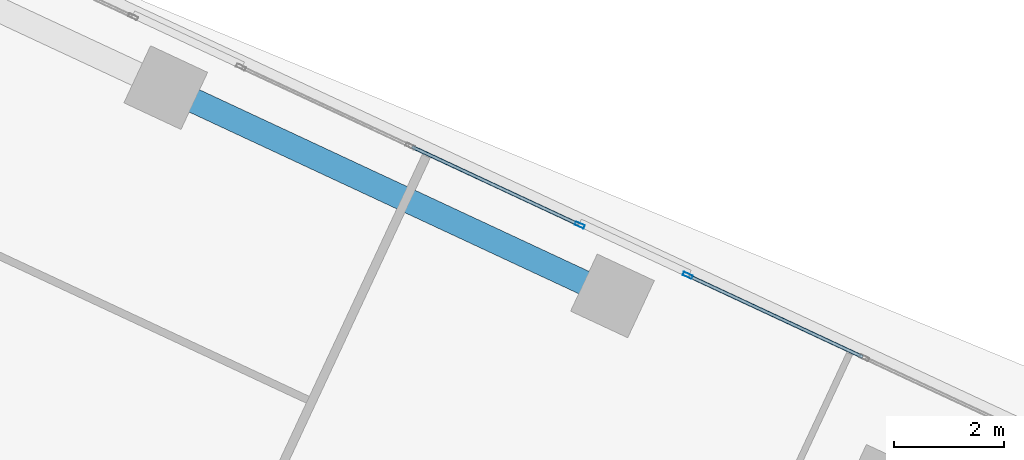
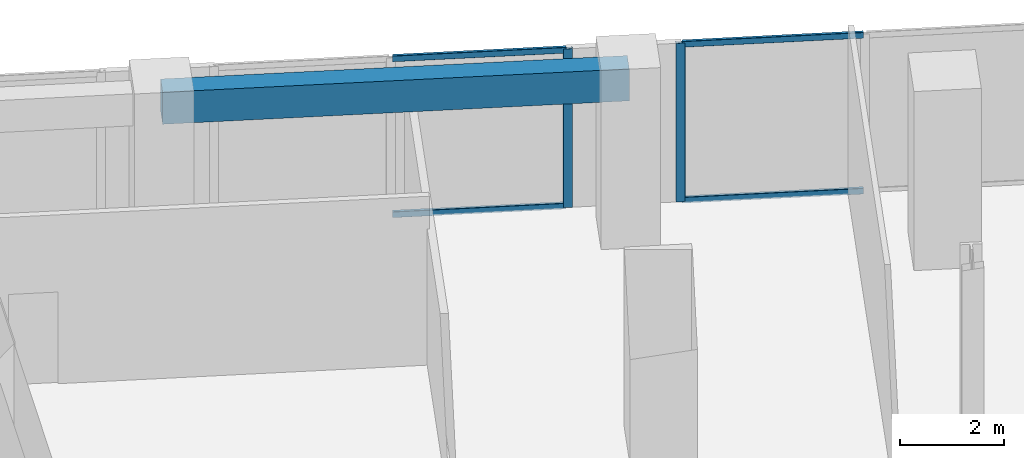
# One storey, part 9 of 23: 6 members, 1 beam, 2 elements without a shape of their own.
"""IFC4 building model written with IfcOpenShell, lengths in metres."""

from ifc_helpers import new_model, si_unit, direction, frame, origin, origin_2d, place, context, subcontext, project, spatial, rectangle, hollow_rectangle, extrude, source, transform, mapped, material, material_profile, profile_set, type_object, element, aggregate, save


model = new_model("IFC4")

# Units and contexts
model_context = context("Model", 3, precision=1e-05, world=origin(), true_north=direction((0.0, 1.0)))
body_context = subcontext(model_context, "Body", "Model", "MODEL_VIEW")
ifc_project = project(units=[si_unit("LENGTHUNIT", "METRE"), si_unit("AREAUNIT", "SQUARE_METRE"), si_unit("VOLUMEUNIT", "CUBIC_METRE"), si_unit("PLANEANGLEUNIT", "RADIAN"), si_unit("MASSUNIT", "GRAM", prefix="KILO")], contexts=[model_context])

# Site, building, storey
site_placement = place(None, origin())
site = spatial("IfcSite", under=ifc_project, at=site_placement, CompositionType="ELEMENT")
building_placement = place(site_placement, origin())
building = spatial("IfcBuilding", under=site, at=building_placement, Name="Torre Montelarca", CompositionType="ELEMENT")
storey_placement = place(building_placement, frame((0.0, 0.0, 154.0)))
storey = spatial("IfcBuildingStorey", under=building, at=storey_placement, Name="L34", CompositionType="ELEMENT", Elevation=154.0)

# Beam
ifc_material_1 = material(Name="Concrete C55/67", Category="concrete")
ifc_material_profile_1 = material_profile(ifc_material_1, rectangle(XDim=0.449951171875, YDim=0.75, at=origin_2d()), Name="RCB450X750", Category="concrete")
ifc_profile_set_1 = profile_set([ifc_material_profile_1], Name="Concrete C55/67")
beam_type = type_object("IfcBeamType", Name="BM-SP-RC750-EXT", PredefinedType="SPANDREL", material=ifc_profile_set_1)
shared_shape_1 = source(origin(), body_context, "Body", "SweptSolid", [
    extrude(rectangle(XDim=0.449951171875, YDim=0.75, at=origin_2d()), origin(), (0.0, 0.0, 1.0), 9.0),
])
beam_placement = place(storey_placement, frame((32.887451171875, 43.40625, 3.5849609375), z_axis=(0.906300917592, -0.422632992999, 0.0), x_axis=(0.422632992999, 0.906300917592, 0.0)))
element("IfcBeam", 1, at=beam_placement, inside=storey, type_object=beam_type, Name="L34 Grid Girder X 27.0-36.0 at Y=47.1", PredefinedType="SPANDREL", context=body_context, shape_type="MappedRepresentation", body=[
    mapped(shared_shape_1, transform((0.0, 0.0, 0.0), scale=1.0)),
])

# Curtain wall, member
ifc_material_2 = material(Name="Insulated low-E laminated glass", Category="glass")
curtain_wall_type = type_object("IfcCurtainWallType", Name="CW-SYS-Z2", PredefinedType="USERDEFINED", material=ifc_material_2)
curtain_wall_1_placement = place(storey_placement, origin())
curtain_wall_1 = element("IfcCurtainWall", 2, at=curtain_wall_1_placement, inside=storey, type_object=curtain_wall_type, Name="L34 Curtain Wall Run CW-T3-L34-E08-B1", ObjectType="UNITISED GLAZING", PredefinedType="USERDEFINED")
ifc_material_3 = material(Name="Anodised aluminium AA 6063-T6", Category="aluminium")
ifc_material_profile_2 = material_profile(ifc_material_3, hollow_rectangle(XDim=0.06494140625, YDim=0.179931640625, WallThickness=0.00390625, InnerFilletRadius=0.00390625, OuterFilletRadius=0.008056640625, at=origin_2d()), Name="ALU65X180X4", Category="aluminium")
ifc_profile_set_2 = profile_set([ifc_material_profile_2], Name="Anodised aluminium AA 6063-T6")
member_type_1 = type_object("IfcMemberType", Name="CWM-ALU180", PredefinedType="MULLION", material=ifc_profile_set_2)
shared_shape_2 = source(origin(), body_context, "Body", "SweptSolid", [
    extrude(hollow_rectangle(XDim=0.06494140625, YDim=0.179931640625, WallThickness=0.00390625, InnerFilletRadius=0.00390625, OuterFilletRadius=0.008056640625, at=origin_2d()), origin(), (0.0, 0.0, 1.0), 3.719970703125),
])
member_1_placement = place(storey_placement, frame((42.41845703125, 39.976806640625, 0.0), z_axis=(0.0, 0.0, 1.0), x_axis=(-0.422609405176, -0.906311916868, 0.0)))
member_1 = element("IfcMember", 3, at=member_1_placement, type_object=member_type_1, Name="CW mullion 3", PredefinedType="MULLION", context=body_context, shape_type="MappedRepresentation", body=[
    mapped(shared_shape_2, transform((0.0, 0.0, 0.0), scale=1.0)),
])

# Curtain wall, members
curtain_wall_2_placement = place(storey_placement, origin())
curtain_wall_2 = element("IfcCurtainWall", 4, at=curtain_wall_2_placement, inside=storey, type_object=curtain_wall_type, Name="L34 Curtain Wall Run CW-T3-L34-E08-B2", ObjectType="UNITISED GLAZING", PredefinedType="USERDEFINED")
member_2_placement = place(storey_placement, frame((40.447265625, 40.89599609375, 0.0), z_axis=(0.0, 0.0, 1.0), x_axis=(-0.422611326824, -0.906311020809, 0.0)))
member_2 = element("IfcMember", 5, at=member_2_placement, type_object=member_type_1, Name="CW mullion 1", PredefinedType="MULLION", context=body_context, shape_type="MappedRepresentation", body=[
    mapped(shared_shape_2, transform((0.0, 0.0, 0.0), scale=1.0)),
])
ifc_material_profile_3 = material_profile(ifc_material_3, hollow_rectangle(XDim=0.06494140625, YDim=0.139892578125, WallThickness=0.00390625, InnerFilletRadius=0.00390625, OuterFilletRadius=0.008056640625, at=origin_2d()), Name="ALU65X140X4", Category="aluminium")
ifc_profile_set_3 = profile_set([ifc_material_profile_3], Name="Anodised aluminium AA 6063-T6")
member_type_2 = type_object("IfcMemberType", Name="CWT-ALU140", PredefinedType="USERDEFINED", material=ifc_profile_set_3)
shared_shape_3 = source(origin(), body_context, "Body", "SweptSolid", [
    extrude(hollow_rectangle(XDim=0.06494140625, YDim=0.139892578125, WallThickness=0.00390625, InnerFilletRadius=0.00390625, OuterFilletRadius=0.008056640625, at=origin_2d()), origin(), (0.0, 0.0, 1.0), 3.34765625),
])
member_3_placement = place(storey_placement, frame((40.41796875, 40.90966796875, 0.032470703125), z_axis=(-0.906302347344, 0.422629927003, 0.0), x_axis=(-0.422629927003, -0.906302347344, 0.0)))
member_3 = element("IfcMember", 6, at=member_3_placement, type_object=member_type_2, Name="CW transom 1.1", ObjectType="TRANSOM", PredefinedType="USERDEFINED", context=body_context, shape_type="MappedRepresentation", body=[
    mapped(shared_shape_3, transform((0.0, 0.0, 0.0), scale=1.0)),
])
member_4_placement = place(storey_placement, frame((40.41796875, 40.90966796875, 3.6875), z_axis=(-0.906302347344, 0.422629927003, 0.0), x_axis=(-0.422629927003, -0.906302347344, 0.0)))
member_4 = element("IfcMember", 7, at=member_4_placement, type_object=member_type_2, Name="CW transom 1.2", ObjectType="TRANSOM", PredefinedType="USERDEFINED", context=body_context, shape_type="MappedRepresentation", body=[
    mapped(shared_shape_3, transform((0.0, 0.0, 0.0), scale=1.0)),
])
aggregate(curtain_wall_2, [member_2, member_3, member_4])

# Member
shared_shape_4 = source(origin(), body_context, "Body", "SweptSolid", [
    extrude(hollow_rectangle(XDim=0.06494140625, YDim=0.139892578125, WallThickness=0.00390625, InnerFilletRadius=0.00390625, OuterFilletRadius=0.008056640625, at=origin_2d()), origin(), (0.0, 0.0, 1.0), 3.4921875),
])
member_5_placement = place(storey_placement, frame((45.613037109375, 38.4873046875, 0.032470703125), z_axis=(-0.906313476559, 0.422606060306, 0.0), x_axis=(-0.422606060306, -0.906313476559, 0.0)))
member_5 = element("IfcMember", 8, at=member_5_placement, type_object=member_type_2, Name="CW transom 2.1", ObjectType="TRANSOM", PredefinedType="USERDEFINED", context=body_context, shape_type="MappedRepresentation", body=[
    mapped(shared_shape_4, transform((0.0, 0.0, 0.0), scale=1.0)),
])

member_6_placement = place(storey_placement, frame((45.613037109375, 38.4873046875, 3.6875), z_axis=(-0.906313476559, 0.422606060306, 0.0), x_axis=(-0.422606060306, -0.906313476559, 0.0)))
member_6 = element("IfcMember", 9, at=member_6_placement, type_object=member_type_2, Name="CW transom 2.2", ObjectType="TRANSOM", PredefinedType="USERDEFINED", context=body_context, shape_type="MappedRepresentation", body=[
    mapped(shared_shape_4, transform((0.0, 0.0, 0.0), scale=1.0)),
])

aggregate(curtain_wall_1, [member_1, member_5, member_6])

save(model, "model.ifc")
